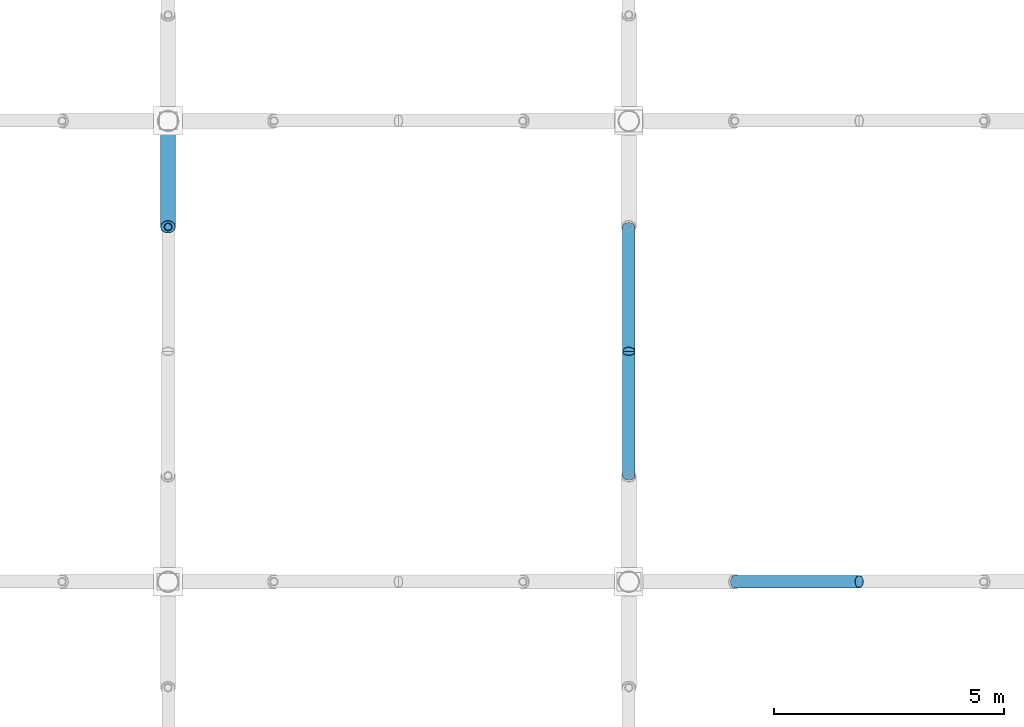
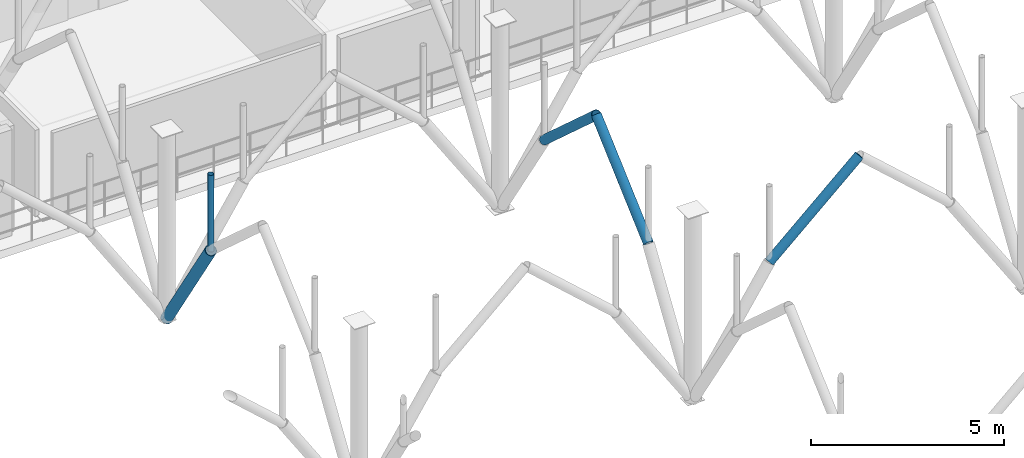
# One storey, part 54 of 109: 5 members.
"""IFC4 building model written with IfcOpenShell, lengths in metres."""

from ifc_helpers import new_model, si_unit, derived_unit, direction, frame, origin, origin_2d_with_axis, place, context, subcontext, project, spatial, hollow_circle, extrude, material, material_profile, profile_set, type_object, element, save


model = new_model("IFC4")

# Units and contexts
model_context = context("Model", 3, precision=1e-05, world=origin(), true_north=direction((0.0, 1.0)))
body_context = subcontext(model_context, "Body", "Model", "MODEL_VIEW")
ifc_project = project(units=[si_unit("LENGTHUNIT", "METRE"), si_unit("AREAUNIT", "SQUARE_METRE"), si_unit("VOLUMEUNIT", "CUBIC_METRE"), si_unit("PLANEANGLEUNIT", "RADIAN"), si_unit("MASSUNIT", "GRAM", prefix="KILO"), derived_unit("THERMALTRANSMITTANCEUNIT", [(si_unit("POWERUNIT", "WATT"), 1), (si_unit("LENGTHUNIT", "METRE"), -2), (si_unit("THERMODYNAMICTEMPERATUREUNIT", "KELVIN"), -1)])], contexts=[model_context])

# Site, building, storey
site_placement = place(None, origin())
site = spatial("IfcSite", under=ifc_project, at=site_placement, CompositionType="ELEMENT")
building_placement = place(site_placement, origin())
building = spatial("IfcBuilding", under=site, at=building_placement, Name="Cinnabar Yard Market Hall", CompositionType="ELEMENT")
storey_placement = place(building_placement, frame((0.0, 0.0, 8.39990234375)))
storey = spatial("IfcBuildingStorey", under=building, at=storey_placement, Name="L02", CompositionType="ELEMENT", Elevation=8.39990234375)

# Members
ifc_material_1 = material(Name="Spotted-gum glulam-clad steel Grade 350 (350 MPa)", Category="steel")
ifc_material_profile_1 = material_profile(ifc_material_1, hollow_circle(Radius=0.136474609375, WallThickness=0.00927734375, at=origin_2d_with_axis()), Name="273.1x9.3CHS")
ifc_profile_set_1 = profile_set([ifc_material_profile_1], Name="Spotted-gum glulam-clad steel Grade 350 (350 MPa)")
member_type_1 = type_object("IfcMemberType", Name="MB-AR01", PredefinedType="USERDEFINED", material=ifc_profile_set_1)
for number, where, z_axis, x_axis, name in (
    (1, (108.300048828125, 44.0, 3.550048828125), (0.743297488271, 0.0, 0.668961018244), (0.0, 1.0, 0.0), "Pointed Arch Rib 0053"),
    (2, (106.0, 46.300048828125, 3.550048828125), (0.0, 0.743297488271, 0.668961018244), (-1.0, 0.0, 0.0), "Pointed Arch Rib 0055"),
    (3, (106.0, 51.699951171875, 3.550048828125), (0.0, -0.743297488271, 0.668961018244), (1.0, 0.0, 0.0), "Pointed Arch Rib 0060"),
):
    element("IfcMember", number, at=place(storey_placement, frame(where, z_axis=z_axis, x_axis=x_axis)), inside=storey, type_object=member_type_1, Name=name, ObjectType="ARCH RIB", PredefinedType="USERDEFINED", context=body_context, shape_type="SweptSolid", body=[
        extrude(hollow_circle(Radius=0.136474609375, WallThickness=0.00927734375, at=origin_2d_with_axis()), origin(), (0.0, 0.0, 1.0), 3.63232421875),
    ])
ifc_material_profile_2 = material_profile(ifc_material_1, hollow_circle(Radius=0.161865234375, WallThickness=0.009521484375, at=origin_2d_with_axis()), Name="323.9x9.5CHS")
ifc_profile_set_2 = profile_set([ifc_material_profile_2], Name="Spotted-gum glulam-clad steel Grade 350 (350 MPa)")
member_type_2 = type_object("IfcMemberType", Name="MB-ST01", PredefinedType="STRUT", material=ifc_profile_set_2)
member_1_placement = place(storey_placement, frame((96.0, 54.0, 0.0), z_axis=(0.0, -0.543744165176, 0.839251024925), x_axis=(1.0, 0.0, 0.0)))
element("IfcMember", 4, at=member_1_placement, inside=storey, type_object=member_type_2, Name="Curved Branch Arm Lower 0043", PredefinedType="STRUT", context=body_context, shape_type="SweptSolid", body=[
    extrude(hollow_circle(Radius=0.161865234375, WallThickness=0.009521484375, at=origin_2d_with_axis()), origin(), (0.0, 0.0, 1.0), 4.22998046875),
])
ifc_material_2 = material(Name="Cold-formed steel C350L0", Category="steel")
ifc_material_profile_3 = material_profile(ifc_material_2, hollow_circle(Radius=0.084228515625, WallThickness=0.00634765625, at=origin_2d_with_axis()), Name="168.3x6.4CHS")
ifc_profile_set_3 = profile_set([ifc_material_profile_3], Name="Cold-formed steel C350L0")
member_type_3 = type_object("IfcMemberType", Name="MB-WB01", PredefinedType="STRUT", material=ifc_profile_set_3)
member_2_placement = place(storey_placement, frame((96.0, 51.699951171875, 3.550048828125), z_axis=(0.0, 0.0, 1.0), x_axis=(1.0, 0.0, 0.0)))
element("IfcMember", 5, at=member_2_placement, inside=storey, type_object=member_type_3, Name="Arch Spandrel Post 0043", PredefinedType="STRUT", context=body_context, shape_type="SweptSolid", body=[
    extrude(hollow_circle(Radius=0.084228515625, WallThickness=0.00634765625, at=origin_2d_with_axis()), origin(), (0.0, 0.0, 1.0), 2.429931640625),
])

save(model, "model.ifc")
